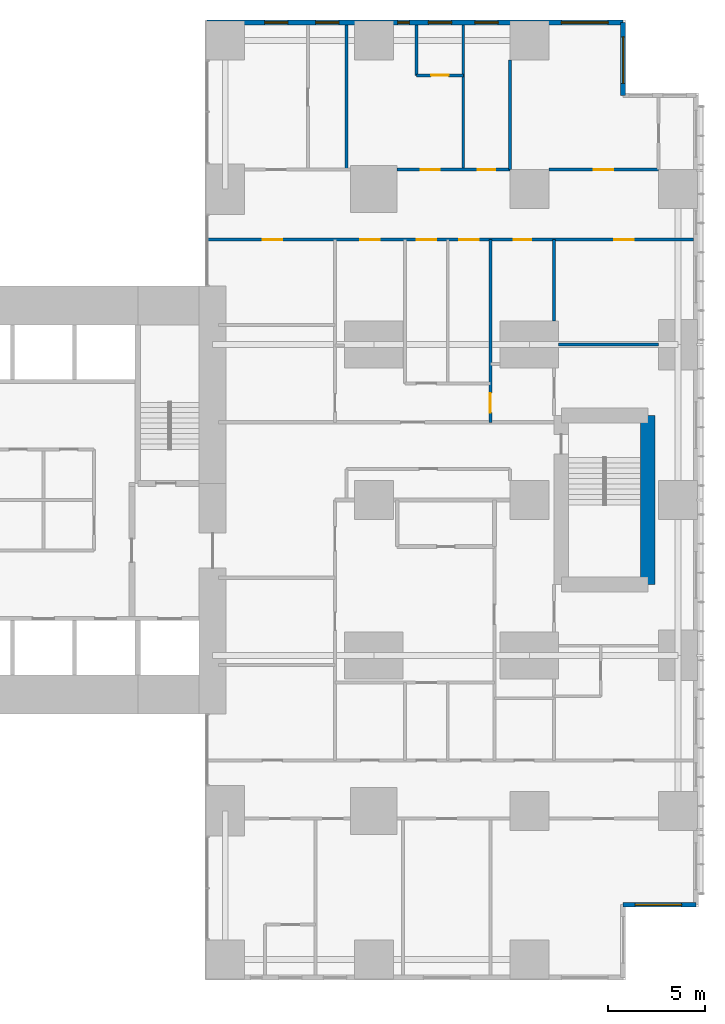
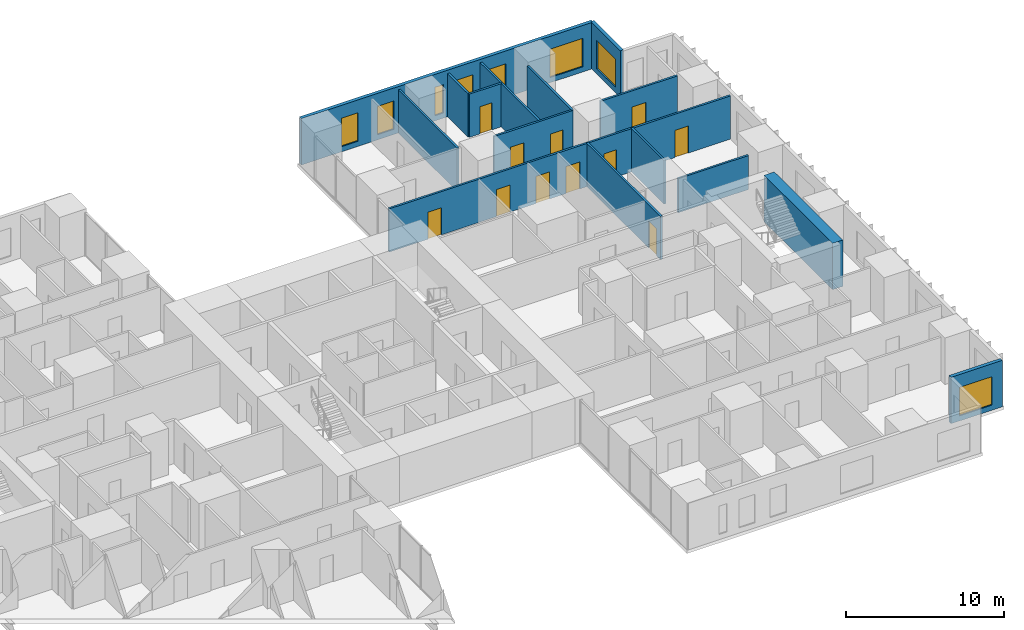
# One storey, part 18 of 20: 15 walls, 11 doors, 8 windows, 19 openings.
"""IFC4 building model written with IfcOpenShell, lengths in metres."""

from ifc_helpers import new_model, si_unit, direction, frame, frame_2d, origin, place, context, subcontext, project, spatial, rectangle, extrude, material, layer, layer_set, type_object, element, fill, save


model = new_model("IFC4")

# Units and contexts
model_context = context("Model", 3, precision=1e-05, world=origin(), true_north=direction((0.0, 1.0)))
body_context = subcontext(model_context, "Body", "Model", "MODEL_VIEW")
ifc_project = project(units=[si_unit("LENGTHUNIT", "METRE"), si_unit("AREAUNIT", "SQUARE_METRE"), si_unit("VOLUMEUNIT", "CUBIC_METRE"), si_unit("PLANEANGLEUNIT", "RADIAN"), si_unit("MASSUNIT", "GRAM", prefix="KILO")], contexts=[model_context])

# Site, building, storey
site_placement = place(None, origin())
site = spatial("IfcSite", under=ifc_project, at=site_placement, CompositionType="ELEMENT")
building_placement = place(site_placement, origin())
building = spatial("IfcBuilding", under=site, at=building_placement, Name="Cleftline Residences", CompositionType="ELEMENT")
storey_placement = place(building_placement, frame((0.0, 0.0, 110.60009765625)))
storey = spatial("IfcBuildingStorey", under=building, at=storey_placement, Name="L28", CompositionType="ELEMENT", Elevation=110.60009765625)

# Wall, opening, window
ifc_material_1 = material(Name="Rendered reinforced concrete blockwork", Category="masonry")
ifc_layer_1 = layer(ifc_material_1, 0.25)
ifc_layer_set_1 = layer_set([ifc_layer_1], Name="EXTERNAL WALL 250")
wall_type_1 = type_object("IfcWallType", Name="EXTERNAL WALL 250", PredefinedType="SOLIDWALL", material=ifc_layer_set_1)
wall_1_placement = place(storey_placement, frame((62.824951171875, 3.175048828125, 0.0), z_axis=(0.0, 0.0, 1.0), x_axis=(1.0, 0.0, 0.0)))
wall_1 = element("IfcWall", 1, at=wall_1_placement, inside=storey, type_object=wall_type_1, Name="External wall", PredefinedType="SOLIDWALL", context=body_context, shape_type="SweptSolid", body=[
    extrude(rectangle(XDim=3.75, YDim=0.25, at=frame_2d((1.875, 0.0))), origin(), (0.0, 0.0, 1.0), 3.599853515625),
])
opening_1_placement = place(wall_1_placement, frame((0.612548828125, 0.0, 0.39990234375)))
opening_1 = element("IfcOpeningElement", 2, at=opening_1_placement, cuts=wall_1, Name="Opening W12", PredefinedType="OPENING", context=body_context, shape_type="SweptSolid", body=[
    extrude(rectangle(XDim=2.39990234375, YDim=2.199951171875, at=frame_2d((1.199951171875, 1.10009765625))), frame((0.0, 0.135009765625, 0.0), z_axis=(0.0, -1.0, 0.0), x_axis=(1.0, 0.0, 0.0)), (0.0, 0.0, 1.0), 0.27001953125),
])
ifc_material_2 = material(Name="Aluminium frame, clear double glazing", Category="aluminium")
window_type_1 = type_object("IfcWindowType", Name="WINDOW 2400X2200", PartitioningType="DOUBLE_PANEL_VERTICAL", PredefinedType="WINDOW", material=ifc_material_2)
window_1_placement = place(opening_1_placement, origin())
window_1 = element("IfcWindow", 3, at=window_1_placement, inside=storey, type_object=window_type_1, Name="Window", OverallHeight=2.199951171875, OverallWidth=2.39990234375, PartitioningType="SINGLE_PANEL", PredefinedType="WINDOW", context=body_context, shape_type="SweptSolid", body=[
    extrude(rectangle(XDim=2.39990234375, YDim=2.199951171875, at=frame_2d((1.199951171875, 1.10009765625))), frame((0.0, 0.030029296875, 0.0), z_axis=(0.0, -1.0, 0.0), x_axis=(1.0, 0.0, 0.0)), (0.0, 0.0, 1.0), 0.06005859375),
])
fill(opening_1, window_1)

wall_2_placement = place(storey_placement, frame((62.824951171875, 44.824951171875, 0.0), z_axis=(0.0, 0.0, 1.0), x_axis=(0.0, 1.0, 0.0)))
wall_2 = element("IfcWall", 4, at=wall_2_placement, inside=storey, type_object=wall_type_1, Name="External wall", PredefinedType="SOLIDWALL", context=body_context, shape_type="SweptSolid", body=[
    extrude(rectangle(XDim=3.75, YDim=0.25, at=frame_2d((1.875, 0.0))), origin(), (0.0, 0.0, 1.0), 3.599853515625),
])
opening_2_placement = place(wall_2_placement, frame((0.612548828125, 0.0, 0.39990234375)))
opening_2 = element("IfcOpeningElement", 5, at=opening_2_placement, cuts=wall_2, Name="Opening W12", PredefinedType="OPENING", context=body_context, shape_type="SweptSolid", body=[
    extrude(rectangle(XDim=2.39990234375, YDim=2.199951171875, at=frame_2d((1.199951171875, 1.10009765625))), frame((0.0, 0.135009765625, 0.0), z_axis=(0.0, -1.0, 0.0), x_axis=(1.0, 0.0, 0.0)), (0.0, 0.0, 1.0), 0.27001953125),
])
window_2_placement = place(opening_2_placement, origin())
window_2 = element("IfcWindow", 6, at=window_2_placement, inside=storey, type_object=window_type_1, Name="Window", OverallHeight=2.199951171875, OverallWidth=2.39990234375, PartitioningType="SINGLE_PANEL", PredefinedType="WINDOW", context=body_context, shape_type="SweptSolid", body=[
    extrude(rectangle(XDim=2.39990234375, YDim=2.199951171875, at=frame_2d((1.199951171875, 1.10009765625))), frame((0.0, 0.030029296875, 0.0), z_axis=(0.0, -1.0, 0.0), x_axis=(1.0, 0.0, 0.0)), (0.0, 0.0, 1.0), 0.06005859375),
])
fill(opening_2, window_2)

# Wall, openings, windows
wall_3_placement = place(storey_placement, frame((62.824951171875, 48.574951171875, 0.0), z_axis=(0.0, 0.0, 1.0), x_axis=(-1.0, 0.0, 0.0)))
wall_3 = element("IfcWall", 7, at=wall_3_placement, inside=storey, type_object=wall_type_1, Name="External wall", PredefinedType="SOLIDWALL", context=body_context, shape_type="SweptSolid", body=[
    extrude(rectangle(XDim=21.39990234375, YDim=0.25, at=frame_2d((10.699951171875, 0.0))), origin(), (0.0, 0.0, 1.0), 3.599853515625),
])
opening_3_placement = place(wall_3_placement, frame((0.77490234375, 0.0, 0.39990234375)))
opening_3 = element("IfcOpeningElement", 8, at=opening_3_placement, cuts=wall_3, Name="Opening W12", PredefinedType="OPENING", context=body_context, shape_type="SweptSolid", body=[
    extrude(rectangle(XDim=2.39990234375, YDim=2.199951171875, at=frame_2d((1.199951171875, 1.10009765625))), frame((0.0, 0.135009765625, 0.0), z_axis=(0.0, -1.0, 0.0), x_axis=(1.0, 0.0, 0.0)), (0.0, 0.0, 1.0), 0.27001953125),
])
opening_4_placement = place(wall_3_placement, frame((6.425048828125, 0.0, 0.39990234375)))
opening_4 = element("IfcOpeningElement", 9, at=opening_4_placement, cuts=wall_3, Name="Opening W11", PredefinedType="OPENING", context=body_context, shape_type="SweptSolid", body=[
    extrude(rectangle(XDim=1.199951171875, YDim=2.199951171875, at=frame_2d((0.60009765625, 1.10009765625))), frame((0.0, 0.135009765625, 0.0), z_axis=(0.0, -1.0, 0.0), x_axis=(1.0, 0.0, 0.0)), (0.0, 0.0, 1.0), 0.27001953125),
])
opening_5_placement = place(wall_3_placement, frame((8.824951171875, 0.0, 0.39990234375)))
opening_5 = element("IfcOpeningElement", 10, at=opening_5_placement, cuts=wall_3, Name="Opening W11", PredefinedType="OPENING", context=body_context, shape_type="SweptSolid", body=[
    extrude(rectangle(XDim=1.199951171875, YDim=2.199951171875, at=frame_2d((0.60009765625, 1.10009765625))), frame((0.0, 0.135009765625, 0.0), z_axis=(0.0, -1.0, 0.0), x_axis=(1.0, 0.0, 0.0)), (0.0, 0.0, 1.0), 0.27001953125),
])
opening_6_placement = place(wall_3_placement, frame((11.0, 0.0, 0.39990234375)))
opening_6 = element("IfcOpeningElement", 11, at=opening_6_placement, cuts=wall_3, Name="Opening W10", PredefinedType="OPENING", context=body_context, shape_type="SweptSolid", body=[
    extrude(rectangle(XDim=0.60009765625, YDim=2.199951171875, at=frame_2d((0.300048828125, 1.10009765625))), frame((0.0, 0.135009765625, 0.0), z_axis=(0.0, -1.0, 0.0), x_axis=(1.0, 0.0, 0.0)), (0.0, 0.0, 1.0), 0.27001953125),
])
opening_7_placement = place(wall_3_placement, frame((14.625, 0.0, 0.39990234375)))
opening_7 = element("IfcOpeningElement", 12, at=opening_7_placement, cuts=wall_3, Name="Opening W11", PredefinedType="OPENING", context=body_context, shape_type="SweptSolid", body=[
    extrude(rectangle(XDim=1.199951171875, YDim=2.199951171875, at=frame_2d((0.60009765625, 1.10009765625))), frame((0.0, 0.135009765625, 0.0), z_axis=(0.0, -1.0, 0.0), x_axis=(1.0, 0.0, 0.0)), (0.0, 0.0, 1.0), 0.27001953125),
])
opening_8_placement = place(wall_3_placement, frame((17.25, 0.0, 0.39990234375)))
opening_8 = element("IfcOpeningElement", 13, at=opening_8_placement, cuts=wall_3, Name="Opening W11", PredefinedType="OPENING", context=body_context, shape_type="SweptSolid", body=[
    extrude(rectangle(XDim=1.199951171875, YDim=2.199951171875, at=frame_2d((0.60009765625, 1.10009765625))), frame((0.0, 0.135009765625, 0.0), z_axis=(0.0, -1.0, 0.0), x_axis=(1.0, 0.0, 0.0)), (0.0, 0.0, 1.0), 0.27001953125),
])
ifc_material_3 = material(Name="Aluminium frame, clear double glazing", Category="aluminium")
window_type_2 = type_object("IfcWindowType", Name="WINDOW 1200X2200", PartitioningType="DOUBLE_PANEL_VERTICAL", PredefinedType="WINDOW", material=ifc_material_3)
window_3_placement = place(opening_4_placement, origin())
window_3 = element("IfcWindow", 14, at=window_3_placement, inside=storey, type_object=window_type_2, Name="Window", OverallHeight=2.199951171875, OverallWidth=1.199951171875, PartitioningType="SINGLE_PANEL", PredefinedType="WINDOW", context=body_context, shape_type="SweptSolid", body=[
    extrude(rectangle(XDim=1.199951171875, YDim=2.199951171875, at=frame_2d((0.60009765625, 1.10009765625))), frame((0.0, 0.030029296875, 0.0), z_axis=(0.0, -1.0, 0.0), x_axis=(1.0, 0.0, 0.0)), (0.0, 0.0, 1.0), 0.06005859375),
])
fill(opening_4, window_3)
window_4_placement = place(opening_5_placement, origin())
window_4 = element("IfcWindow", 15, at=window_4_placement, inside=storey, type_object=window_type_2, Name="Window", OverallHeight=2.199951171875, OverallWidth=1.199951171875, PartitioningType="SINGLE_PANEL", PredefinedType="WINDOW", context=body_context, shape_type="SweptSolid", body=[
    extrude(rectangle(XDim=1.199951171875, YDim=2.199951171875, at=frame_2d((0.60009765625, 1.10009765625))), frame((0.0, 0.030029296875, 0.0), z_axis=(0.0, -1.0, 0.0), x_axis=(1.0, 0.0, 0.0)), (0.0, 0.0, 1.0), 0.06005859375),
])
fill(opening_5, window_4)
window_5_placement = place(opening_7_placement, origin())
window_5 = element("IfcWindow", 16, at=window_5_placement, inside=storey, type_object=window_type_2, Name="Window", OverallHeight=2.199951171875, OverallWidth=1.199951171875, PartitioningType="SINGLE_PANEL", PredefinedType="WINDOW", context=body_context, shape_type="SweptSolid", body=[
    extrude(rectangle(XDim=1.199951171875, YDim=2.199951171875, at=frame_2d((0.60009765625, 1.10009765625))), frame((0.0, 0.030029296875, 0.0), z_axis=(0.0, -1.0, 0.0), x_axis=(1.0, 0.0, 0.0)), (0.0, 0.0, 1.0), 0.06005859375),
])
fill(opening_7, window_5)
window_6_placement = place(opening_8_placement, origin())
window_6 = element("IfcWindow", 17, at=window_6_placement, inside=storey, type_object=window_type_2, Name="Window", OverallHeight=2.199951171875, OverallWidth=1.199951171875, PartitioningType="SINGLE_PANEL", PredefinedType="WINDOW", context=body_context, shape_type="SweptSolid", body=[
    extrude(rectangle(XDim=1.199951171875, YDim=2.199951171875, at=frame_2d((0.60009765625, 1.10009765625))), frame((0.0, 0.030029296875, 0.0), z_axis=(0.0, -1.0, 0.0), x_axis=(1.0, 0.0, 0.0)), (0.0, 0.0, 1.0), 0.06005859375),
])
fill(opening_8, window_6)
window_7_placement = place(opening_3_placement, origin())
window_7 = element("IfcWindow", 18, at=window_7_placement, inside=storey, type_object=window_type_1, Name="Window", OverallHeight=2.199951171875, OverallWidth=2.39990234375, PartitioningType="SINGLE_PANEL", PredefinedType="WINDOW", context=body_context, shape_type="SweptSolid", body=[
    extrude(rectangle(XDim=2.39990234375, YDim=2.199951171875, at=frame_2d((1.199951171875, 1.10009765625))), frame((0.0, 0.030029296875, 0.0), z_axis=(0.0, -1.0, 0.0), x_axis=(1.0, 0.0, 0.0)), (0.0, 0.0, 1.0), 0.06005859375),
])
fill(opening_3, window_7)
ifc_material_4 = material(Name="Aluminium frame, clear double glazing", Category="aluminium")
window_type_3 = type_object("IfcWindowType", Name="WINDOW 600X2200", PartitioningType="DOUBLE_PANEL_VERTICAL", PredefinedType="WINDOW", material=ifc_material_4)
window_8_placement = place(opening_6_placement, origin())
window_8 = element("IfcWindow", 19, at=window_8_placement, inside=storey, type_object=window_type_3, Name="Window", OverallHeight=2.199951171875, OverallWidth=0.60009765625, PartitioningType="SINGLE_PANEL", PredefinedType="WINDOW", context=body_context, shape_type="SweptSolid", body=[
    extrude(rectangle(XDim=0.60009765625, YDim=2.199951171875, at=frame_2d((0.300048828125, 1.10009765625))), frame((0.0, 0.030029296875, 0.0), z_axis=(0.0, -1.0, 0.0), x_axis=(1.0, 0.0, 0.0)), (0.0, 0.0, 1.0), 0.06005859375),
])
fill(opening_6, window_8)

# Wall
ifc_material_5 = material(Name="Gypsum board on steel studs", Category="steel")
ifc_layer_2 = layer(ifc_material_5, 0.14990234375)
ifc_layer_set_2 = layer_set([ifc_layer_2], Name="PARTITION 150")
wall_type_2 = type_object("IfcWallType", Name="PARTITION 150", PredefinedType="PARTITIONING", material=ifc_layer_set_2)
wall_4_placement = place(storey_placement, frame((59.5, 32.0, 0.0), z_axis=(0.0, 0.0, 1.0), x_axis=(1.0, 0.0, 0.0)))
element("IfcWall", 20, at=wall_4_placement, inside=storey, type_object=wall_type_2, Name="Partition", PredefinedType="PARTITIONING", context=body_context, shape_type="SweptSolid", body=[
    extrude(rectangle(XDim=5.14990234375, YDim=0.14990234375, at=frame_2d((2.574951171875, 0.0))), origin(), (0.0, 0.0, 1.0), 2.6337890625),
])

# Wall, openings, doors
wall_5_placement = place(storey_placement, frame((41.43896484375, 37.39990234375, 0.0), z_axis=(0.0, 0.0, 1.0), x_axis=(1.0, 0.0, 0.0)))
wall_5 = element("IfcWall", 21, at=wall_5_placement, inside=storey, type_object=wall_type_2, Name="Partition", PredefinedType="PARTITIONING", context=body_context, shape_type="SweptSolid", body=[
    extrude(rectangle(XDim=25.010986328125, YDim=0.14990234375, at=frame_2d((12.50537109375, 0.0))), origin(), (0.0, 0.0, 1.0), 3.349853515625),
])
opening_9_placement = place(wall_5_placement, frame((10.760986328125, 0.0, 0.0)))
opening_9 = element("IfcOpeningElement", 22, at=opening_9_placement, cuts=wall_5, Name="Opening D2", PredefinedType="OPENING", context=body_context, shape_type="SweptSolid", body=[
    extrude(rectangle(XDim=1.0, YDim=2.10009765625, at=frame_2d((0.5, 1.050048828125))), frame((0.0, 0.0849609375, 0.0), z_axis=(0.0, -1.0, 0.0), x_axis=(1.0, 0.0, 0.0)), (0.0, 0.0, 1.0), 0.169921875),
])
opening_10_placement = place(wall_5_placement, frame((20.923583984375, 0.0, 0.0)))
opening_10 = element("IfcOpeningElement", 23, at=opening_10_placement, cuts=wall_5, Name="Opening D2", PredefinedType="OPENING", context=body_context, shape_type="SweptSolid", body=[
    extrude(rectangle(XDim=1.0, YDim=2.10009765625, at=frame_2d((0.5, 1.050048828125))), frame((0.0, 0.0849609375, 0.0), z_axis=(0.0, -1.0, 0.0), x_axis=(1.0, 0.0, 0.0)), (0.0, 0.0, 1.0), 0.169921875),
])
opening_11_placement = place(wall_5_placement, frame((15.74853515625, 0.0, 0.0)))
opening_11 = element("IfcOpeningElement", 24, at=opening_11_placement, cuts=wall_5, Name="Opening D1", PredefinedType="OPENING", context=body_context, shape_type="SweptSolid", body=[
    extrude(rectangle(XDim=0.89990234375, YDim=2.10009765625, at=frame_2d((0.449951171875, 1.050048828125))), frame((0.0, 0.0849609375, 0.0), z_axis=(0.0, -1.0, 0.0), x_axis=(1.0, 0.0, 0.0)), (0.0, 0.0, 1.0), 0.169921875),
])
opening_12_placement = place(wall_5_placement, frame((12.9609375, 0.0, 0.0)))
opening_12 = element("IfcOpeningElement", 25, at=opening_12_placement, cuts=wall_5, Name="Opening D2", PredefinedType="OPENING", context=body_context, shape_type="SweptSolid", body=[
    extrude(rectangle(XDim=1.0, YDim=2.10009765625, at=frame_2d((0.5, 1.050048828125))), frame((0.0, 0.0849609375, 0.0), z_axis=(0.0, -1.0, 0.0), x_axis=(1.0, 0.0, 0.0)), (0.0, 0.0, 1.0), 0.169921875),
])
opening_13_placement = place(wall_5_placement, frame((7.861083984375, 0.0, 0.0)))
opening_13 = element("IfcOpeningElement", 26, at=opening_13_placement, cuts=wall_5, Name="Opening D2", PredefinedType="OPENING", context=body_context, shape_type="SweptSolid", body=[
    extrude(rectangle(XDim=1.0, YDim=2.10009765625, at=frame_2d((0.5, 1.050048828125))), frame((0.0, 0.0849609375, 0.0), z_axis=(0.0, -1.0, 0.0), x_axis=(1.0, 0.0, 0.0)), (0.0, 0.0, 1.0), 0.169921875),
])
opening_14_placement = place(wall_5_placement, frame((2.8359375, 0.0, 0.0)))
opening_14 = element("IfcOpeningElement", 27, at=opening_14_placement, cuts=wall_5, Name="Opening D2", PredefinedType="OPENING", context=body_context, shape_type="SweptSolid", body=[
    extrude(rectangle(XDim=1.0, YDim=2.10009765625, at=frame_2d((0.5, 1.050048828125))), frame((0.0, 0.0849609375, 0.0), z_axis=(0.0, -1.0, 0.0), x_axis=(1.0, 0.0, 0.0)), (0.0, 0.0, 1.0), 0.169921875),
])
ifc_material_6 = material(Name="Timber veneer on solid core", Category="wood")
door_type_1 = type_object("IfcDoorType", Name="DOOR 1000X2100", OperationType="SINGLE_SWING_LEFT", PredefinedType="DOOR", material=ifc_material_6)
door_1_placement = place(opening_9_placement, origin())
door_1 = element("IfcDoor", 28, at=door_1_placement, inside=storey, type_object=door_type_1, Name="Door to residence hall", OperationType="SINGLE_SWING_RIGHT", OverallHeight=2.10009765625, OverallWidth=1.0, PredefinedType="DOOR", context=body_context, shape_type="SweptSolid", body=[
    extrude(rectangle(XDim=1.0, YDim=2.10009765625, at=frame_2d((0.5, 1.050048828125))), frame((0.0, 0.02490234375, 0.0), z_axis=(0.0, -1.0, 0.0), x_axis=(1.0, 0.0, 0.0)), (0.0, 0.0, 1.0), 0.050048828125),
])
fill(opening_9, door_1)
door_2_placement = place(opening_10_placement, origin())
door_2 = element("IfcDoor", 29, at=door_2_placement, inside=storey, type_object=door_type_1, Name="Door to sea-view living room", OperationType="SINGLE_SWING_LEFT", OverallHeight=2.10009765625, OverallWidth=1.0, PredefinedType="DOOR", context=body_context, shape_type="SweptSolid", body=[
    extrude(rectangle(XDim=1.0, YDim=2.10009765625, at=frame_2d((0.5, 1.050048828125))), frame((0.0, 0.02490234375, 0.0), z_axis=(0.0, -1.0, 0.0), x_axis=(1.0, 0.0, 0.0)), (0.0, 0.0, 1.0), 0.050048828125),
])
fill(opening_10, door_2)
door_3_placement = place(opening_12_placement, origin())
door_3 = element("IfcDoor", 30, at=door_3_placement, inside=storey, type_object=door_type_1, Name="Door to show kitchen", OperationType="SINGLE_SWING_LEFT", OverallHeight=2.10009765625, OverallWidth=1.0, PredefinedType="DOOR", context=body_context, shape_type="SweptSolid", body=[
    extrude(rectangle(XDim=1.0, YDim=2.10009765625, at=frame_2d((0.5, 1.050048828125))), frame((0.0, 0.02490234375, 0.0), z_axis=(0.0, -1.0, 0.0), x_axis=(1.0, 0.0, 0.0)), (0.0, 0.0, 1.0), 0.050048828125),
])
fill(opening_12, door_3)
door_4_placement = place(opening_13_placement, origin())
door_4 = element("IfcDoor", 31, at=door_4_placement, inside=storey, type_object=door_type_1, Name="Door to wet kitchen", OperationType="SINGLE_SWING_RIGHT", OverallHeight=2.10009765625, OverallWidth=1.0, PredefinedType="DOOR", context=body_context, shape_type="SweptSolid", body=[
    extrude(rectangle(XDim=1.0, YDim=2.10009765625, at=frame_2d((0.5, 1.050048828125))), frame((0.0, 0.02490234375, 0.0), z_axis=(0.0, -1.0, 0.0), x_axis=(1.0, 0.0, 0.0)), (0.0, 0.0, 1.0), 0.050048828125),
])
fill(opening_13, door_4)
door_5_placement = place(opening_14_placement, origin())
door_5 = element("IfcDoor", 32, at=door_5_placement, inside=storey, type_object=door_type_1, Name="Door to study", OperationType="SINGLE_SWING_RIGHT", OverallHeight=2.10009765625, OverallWidth=1.0, PredefinedType="DOOR", context=body_context, shape_type="SweptSolid", body=[
    extrude(rectangle(XDim=1.0, YDim=2.10009765625, at=frame_2d((0.5, 1.050048828125))), frame((0.0, 0.02490234375, 0.0), z_axis=(0.0, -1.0, 0.0), x_axis=(1.0, 0.0, 0.0)), (0.0, 0.0, 1.0), 0.050048828125),
])
fill(opening_14, door_5)
ifc_material_7 = material(Name="Timber veneer on solid core", Category="wood")
door_type_2 = type_object("IfcDoorType", Name="DOOR 900X2100", OperationType="SINGLE_SWING_LEFT", PredefinedType="DOOR", material=ifc_material_7)
door_6_placement = place(opening_11_placement, origin())
door_6 = element("IfcDoor", 33, at=door_6_placement, inside=storey, type_object=door_type_2, Name="Door to master bathroom", OperationType="SINGLE_SWING_LEFT", OverallHeight=2.10009765625, OverallWidth=0.89990234375, PredefinedType="DOOR", context=body_context, shape_type="SweptSolid", body=[
    extrude(rectangle(XDim=0.89990234375, YDim=2.10009765625, at=frame_2d((0.449951171875, 1.050048828125))), frame((0.0, 0.02490234375, 0.0), z_axis=(0.0, -1.0, 0.0), x_axis=(1.0, 0.0, 0.0)), (0.0, 0.0, 1.0), 0.050048828125),
])
fill(opening_11, door_6)

wall_6_placement = place(storey_placement, frame((51.199951171875, 41.0, 0.0), z_axis=(0.0, 0.0, 1.0), x_axis=(1.0, 0.0, 0.0)))
wall_6 = element("IfcWall", 34, at=wall_6_placement, inside=storey, type_object=wall_type_2, Name="Partition", PredefinedType="PARTITIONING", context=body_context, shape_type="SweptSolid", body=[
    extrude(rectangle(XDim=5.800048828125, YDim=0.14990234375, at=frame_2d((2.89990234375, 0.0))), origin(), (0.0, 0.0, 1.0), 3.349853515625),
])
opening_15_placement = place(wall_6_placement, frame((4.14990234375, 0.0, 0.0)))
opening_15 = element("IfcOpeningElement", 35, at=opening_15_placement, cuts=wall_6, Name="Opening D1", PredefinedType="OPENING", context=body_context, shape_type="SweptSolid", body=[
    extrude(rectangle(XDim=0.89990234375, YDim=2.10009765625, at=frame_2d((0.449951171875, 1.050048828125))), frame((0.0, 0.0849609375, 0.0), z_axis=(0.0, -1.0, 0.0), x_axis=(1.0, 0.0, 0.0)), (0.0, 0.0, 1.0), 0.169921875),
])
opening_16_placement = place(wall_6_placement, frame((1.199951171875, 0.0, 0.0)))
opening_16 = element("IfcOpeningElement", 36, at=opening_16_placement, cuts=wall_6, Name="Opening D2", PredefinedType="OPENING", context=body_context, shape_type="SweptSolid", body=[
    extrude(rectangle(XDim=1.0, YDim=2.10009765625, at=frame_2d((0.5, 1.050048828125))), frame((0.0, 0.0849609375, 0.0), z_axis=(0.0, -1.0, 0.0), x_axis=(1.0, 0.0, 0.0)), (0.0, 0.0, 1.0), 0.169921875),
])
door_7_placement = place(opening_16_placement, origin())
door_7 = element("IfcDoor", 37, at=door_7_placement, inside=storey, type_object=door_type_1, Name="Door to bedroom 2", OperationType="SINGLE_SWING_RIGHT", OverallHeight=2.10009765625, OverallWidth=1.0, PredefinedType="DOOR", context=body_context, shape_type="SweptSolid", body=[
    extrude(rectangle(XDim=1.0, YDim=2.10009765625, at=frame_2d((0.5, 1.050048828125))), frame((0.0, 0.02490234375, 0.0), z_axis=(0.0, -1.0, 0.0), x_axis=(1.0, 0.0, 0.0)), (0.0, 0.0, 1.0), 0.050048828125),
])
fill(opening_16, door_7)
door_8_placement = place(opening_15_placement, origin())
door_8 = element("IfcDoor", 38, at=door_8_placement, inside=storey, type_object=door_type_2, Name="Door to master dressing room", OperationType="SINGLE_SWING_LEFT", OverallHeight=2.10009765625, OverallWidth=0.89990234375, PredefinedType="DOOR", context=body_context, shape_type="SweptSolid", body=[
    extrude(rectangle(XDim=0.89990234375, YDim=2.10009765625, at=frame_2d((0.449951171875, 1.050048828125))), frame((0.0, 0.02490234375, 0.0), z_axis=(0.0, -1.0, 0.0), x_axis=(1.0, 0.0, 0.0)), (0.0, 0.0, 1.0), 0.050048828125),
])
fill(opening_15, door_8)

# Wall, opening, door
wall_7_placement = place(storey_placement, frame((59.0, 41.0, 0.0), z_axis=(0.0, 0.0, 1.0), x_axis=(1.0, 0.0, 0.0)))
wall_7 = element("IfcWall", 39, at=wall_7_placement, inside=storey, type_object=wall_type_2, Name="Partition", PredefinedType="PARTITIONING", context=body_context, shape_type="SweptSolid", body=[
    extrude(rectangle(XDim=5.64990234375, YDim=0.14990234375, at=frame_2d((2.824951171875, 0.0))), origin(), (0.0, 0.0, 1.0), 3.349853515625),
])
opening_17_placement = place(wall_7_placement, frame((2.324951171875, 0.0, 0.0)))
opening_17 = element("IfcOpeningElement", 40, at=opening_17_placement, cuts=wall_7, Name="Opening D2", PredefinedType="OPENING", context=body_context, shape_type="SweptSolid", body=[
    extrude(rectangle(XDim=1.0, YDim=2.10009765625, at=frame_2d((0.5, 1.050048828125))), frame((0.0, 0.0849609375, 0.0), z_axis=(0.0, -1.0, 0.0), x_axis=(1.0, 0.0, 0.0)), (0.0, 0.0, 1.0), 0.169921875),
])
door_9_placement = place(opening_17_placement, origin())
door_9 = element("IfcDoor", 41, at=door_9_placement, inside=storey, type_object=door_type_1, Name="Door to master bedroom", OperationType="SINGLE_SWING_LEFT", OverallHeight=2.10009765625, OverallWidth=1.0, PredefinedType="DOOR", context=body_context, shape_type="SweptSolid", body=[
    extrude(rectangle(XDim=1.0, YDim=2.10009765625, at=frame_2d((0.5, 1.050048828125))), frame((0.0, 0.02490234375, 0.0), z_axis=(0.0, -1.0, 0.0), x_axis=(1.0, 0.0, 0.0)), (0.0, 0.0, 1.0), 0.050048828125),
])
fill(opening_17, door_9)

wall_8_placement = place(storey_placement, frame((52.199951171875, 45.85009765625, 0.0), z_axis=(0.0, 0.0, 1.0), x_axis=(1.0, 0.0, 0.0)))
wall_8 = element("IfcWall", 42, at=wall_8_placement, inside=storey, type_object=wall_type_2, Name="Partition", PredefinedType="PARTITIONING", context=body_context, shape_type="SweptSolid", body=[
    extrude(rectangle(XDim=2.400146484375, YDim=0.14990234375, at=frame_2d((1.2001953125, 0.0))), origin(), (0.0, 0.0, 1.0), 3.349853515625),
])
opening_18_placement = place(wall_8_placement, frame((0.75, 0.0, 0.0)))
opening_18 = element("IfcOpeningElement", 43, at=opening_18_placement, cuts=wall_8, Name="Opening D1", PredefinedType="OPENING", context=body_context, shape_type="SweptSolid", body=[
    extrude(rectangle(XDim=0.89990234375, YDim=2.10009765625, at=frame_2d((0.449951171875, 1.050048828125))), frame((0.0, 0.0849609375, 0.0), z_axis=(0.0, -1.0, 0.0), x_axis=(1.0, 0.0, 0.0)), (0.0, 0.0, 1.0), 0.169921875),
])
door_10_placement = place(opening_18_placement, origin())
door_10 = element("IfcDoor", 44, at=door_10_placement, inside=storey, type_object=door_type_2, Name="Door to en-suite bathroom 2", OperationType="SINGLE_SWING_LEFT", OverallHeight=2.10009765625, OverallWidth=0.89990234375, PredefinedType="DOOR", context=body_context, shape_type="SweptSolid", body=[
    extrude(rectangle(XDim=0.89990234375, YDim=2.10009765625, at=frame_2d((0.449951171875, 1.050048828125))), frame((0.0, 0.02490234375, 0.0), z_axis=(0.0, -1.0, 0.0), x_axis=(1.0, 0.0, 0.0)), (0.0, 0.0, 1.0), 0.050048828125),
])
fill(opening_18, door_10)

# Walls
wall_9_placement = place(storey_placement, frame((48.60009765625, 41.0, 0.0), z_axis=(0.0, 0.0, 1.0), x_axis=(0.0, 1.0, 0.0)))
element("IfcWall", 45, at=wall_9_placement, inside=storey, type_object=wall_type_2, Name="Partition", PredefinedType="PARTITIONING", context=body_context, shape_type="SweptSolid", body=[
    extrude(rectangle(XDim=7.449951171875, YDim=0.14990234375, at=frame_2d((3.72509765625, 0.0))), origin(), (0.0, 0.0, 1.0), 3.349853515625),
])
wall_10_placement = place(storey_placement, frame((52.199951171875, 45.85009765625, 0.0), z_axis=(0.0, 0.0, 1.0), x_axis=(0.0, 1.0, 0.0)))
element("IfcWall", 46, at=wall_10_placement, inside=storey, type_object=wall_type_2, Name="Partition", PredefinedType="PARTITIONING", context=body_context, shape_type="SweptSolid", body=[
    extrude(rectangle(XDim=2.599853515625, YDim=0.14990234375, at=frame_2d((1.2998046875, 0.0))), origin(), (0.0, 0.0, 1.0), 3.349853515625),
])
wall_11_placement = place(storey_placement, frame((54.60009765625, 41.0, 0.0), z_axis=(0.0, 0.0, 1.0), x_axis=(0.0, 1.0, 0.0)))
element("IfcWall", 47, at=wall_11_placement, inside=storey, type_object=wall_type_2, Name="Partition", PredefinedType="PARTITIONING", context=body_context, shape_type="SweptSolid", body=[
    extrude(rectangle(XDim=7.449951171875, YDim=0.14990234375, at=frame_2d((3.72509765625, 0.0))), origin(), (0.0, 0.0, 1.0), 3.349853515625),
])

# Wall, opening, door
wall_12_placement = place(storey_placement, frame((56.0, 28.0, 0.0), z_axis=(0.0, 0.0, 1.0), x_axis=(0.0, 1.0, 0.0)))
wall_12 = element("IfcWall", 48, at=wall_12_placement, inside=storey, type_object=wall_type_2, Name="Partition", PredefinedType="PARTITIONING", context=body_context, shape_type="SweptSolid", body=[
    extrude(rectangle(XDim=9.39990234375, YDim=0.14990234375, at=frame_2d((4.699951171875, 0.0))), origin(), (0.0, 0.0, 1.0), 3.349853515625),
])
opening_19_placement = place(wall_12_placement, frame((0.5, 0.0, 0.0)))
opening_19 = element("IfcOpeningElement", 49, at=opening_19_placement, cuts=wall_12, Name="Opening D2F30", PredefinedType="OPENING", context=body_context, shape_type="SweptSolid", body=[
    extrude(rectangle(XDim=1.0, YDim=2.10009765625, at=frame_2d((0.5, 1.050048828125))), frame((0.0, 0.0849609375, 0.0), z_axis=(0.0, -1.0, 0.0), x_axis=(1.0, 0.0, 0.0)), (0.0, 0.0, 1.0), 0.169921875),
])
ifc_material_8 = material(Name="Timber veneer on solid core", Category="wood")
door_type_3 = type_object("IfcDoorType", Name="DOOR 1000X2100 EI 30", OperationType="SINGLE_SWING_LEFT", PredefinedType="DOOR", material=ifc_material_8)
door_11_placement = place(opening_19_placement, origin())
door_11 = element("IfcDoor", 50, at=door_11_placement, inside=storey, type_object=door_type_3, Name="Door to residence lobby (service)", OperationType="SINGLE_SWING_RIGHT", OverallHeight=2.10009765625, OverallWidth=1.0, PredefinedType="DOOR", context=body_context, shape_type="SweptSolid", body=[
    extrude(rectangle(XDim=1.0, YDim=2.10009765625, at=frame_2d((0.5, 1.050048828125))), frame((0.0, 0.02490234375, 0.0), z_axis=(0.0, -1.0, 0.0), x_axis=(1.0, 0.0, 0.0)), (0.0, 0.0, 1.0), 0.050048828125),
])
fill(opening_19, door_11)

# Walls
wall_13_placement = place(storey_placement, frame((57.0, 41.0, 0.0), z_axis=(0.0, 0.0, 1.0), x_axis=(0.0, 1.0, 0.0)))
element("IfcWall", 51, at=wall_13_placement, inside=storey, type_object=wall_type_2, Name="Partition", PredefinedType="PARTITIONING", context=body_context, shape_type="SweptSolid", body=[
    extrude(rectangle(XDim=5.64990234375, YDim=0.14990234375, at=frame_2d((2.824951171875, 0.0))), origin(), (0.0, 0.0, 1.0), 3.349853515625),
])
wall_14_placement = place(storey_placement, frame((59.27490234375, 33.199951171875, 0.0), z_axis=(0.0, 0.0, 1.0), x_axis=(0.0, 1.0, 0.0)))
element("IfcWall", 52, at=wall_14_placement, inside=storey, type_object=wall_type_2, Name="Partition", PredefinedType="PARTITIONING", context=body_context, shape_type="SweptSolid", body=[
    extrude(rectangle(XDim=4.199951171875, YDim=0.14990234375, at=frame_2d((2.10009765625, 0.0))), origin(), (0.0, 0.0, 1.0), 3.349853515625),
])
ifc_material_9 = material(Name="Concrete B70", Category="concrete")
ifc_layer_3 = layer(ifc_material_9, 0.75)
ifc_layer_set_3 = layer_set([ifc_layer_3], Name="SHEAR WALL 750")
wall_type_3 = type_object("IfcWallType", Name="SHEAR WALL 750", PredefinedType="SHEAR", material=ifc_layer_set_3)
wall_15_placement = place(storey_placement, frame((64.10009765625, 19.64990234375, 0.0), z_axis=(0.0, 0.0, 1.0), x_axis=(0.0, 1.0, 0.0)))
element("IfcWall", 53, at=wall_15_placement, inside=storey, type_object=wall_type_3, Name="Wing shear wall", PredefinedType="SHEAR", context=body_context, shape_type="SweptSolid", body=[
    extrude(rectangle(XDim=8.7001953125, YDim=0.75, at=frame_2d((4.35009765625, 0.0))), origin(), (0.0, 0.0, 1.0), 3.599853515625),
])

save(model, "model.ifc")
